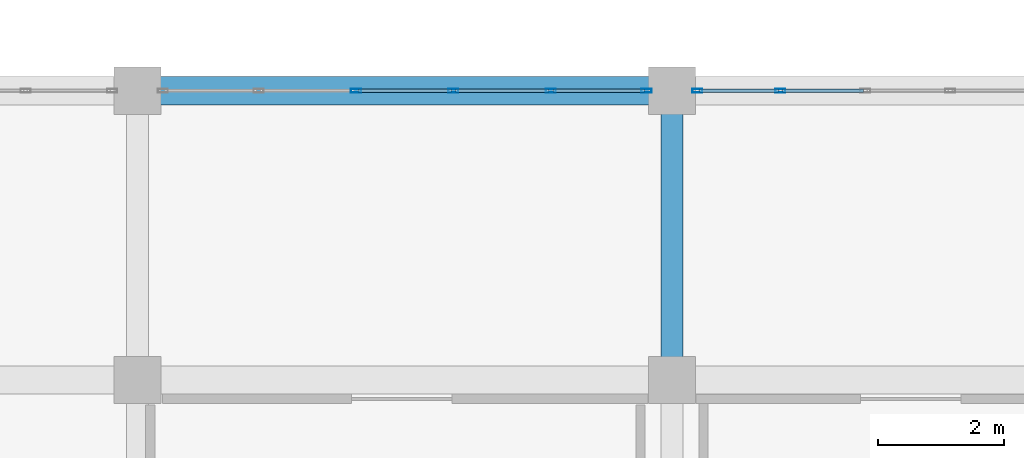
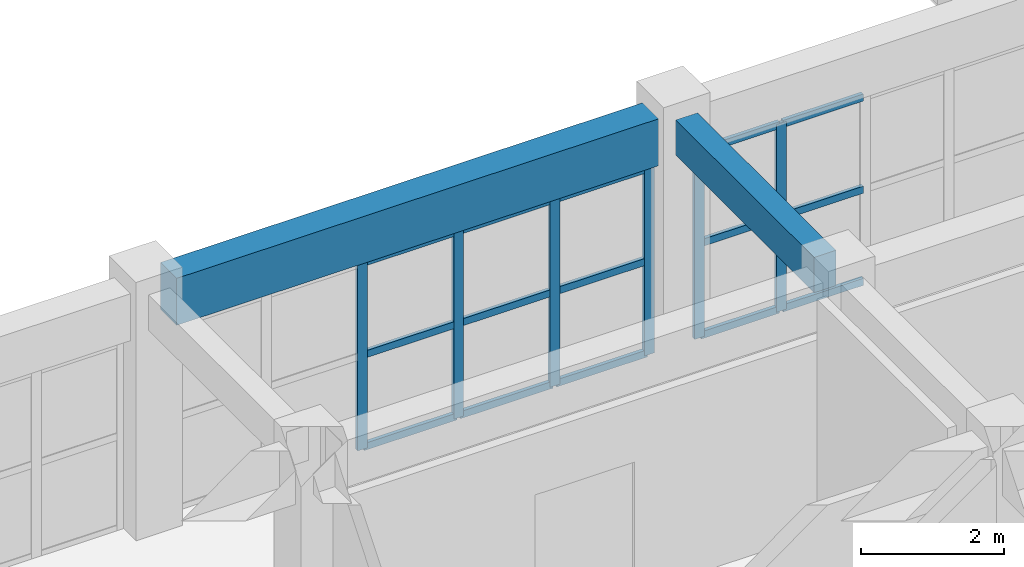
# One storey, part 52 of 116: 21 members, 2 beams, 2 elements without a shape of their own.
"""IFC4 building model written with IfcOpenShell, lengths in metres."""

from ifc_helpers import new_model, si_unit, direction, frame, origin, origin_2d, place, context, subcontext, project, spatial, rectangle, hollow_rectangle, extrude, material, layer, layer_set, material_profile, profile_set, type_object, element, aggregate, save


model = new_model("IFC4")

# Units and contexts
model_context = context("Model", 3, precision=1e-05, world=origin(), true_north=direction((0.0, 1.0)))
body_context = subcontext(model_context, "Body", "Model", "MODEL_VIEW")
ifc_project = project(units=[si_unit("LENGTHUNIT", "METRE"), si_unit("AREAUNIT", "SQUARE_METRE"), si_unit("VOLUMEUNIT", "CUBIC_METRE"), si_unit("PLANEANGLEUNIT", "RADIAN"), si_unit("MASSUNIT", "GRAM", prefix="KILO")], contexts=[model_context])

# Site, building, storey
site_placement = place(None, origin())
site = spatial("IfcSite", under=ifc_project, at=site_placement, CompositionType="ELEMENT")
building_placement = place(site_placement, origin())
building = spatial("IfcBuilding", under=site, at=building_placement, Name="Muzn Square Opera House", CompositionType="ELEMENT")
storey_placement = place(building_placement, frame((0.0, 0.0, 5.39990234375)))
storey = spatial("IfcBuildingStorey", under=building, at=storey_placement, Name="L01", CompositionType="ELEMENT", Elevation=5.39990234375)

# Curtain wall, members
ifc_material_1 = material(Name="Low-E laminated acoustic double glazing", Category="glass")
ifc_layer_1 = layer(ifc_material_1, 0.159912109375, Name="Low-E laminated acoustic double glazing", Category="glass")
ifc_layer_set_1 = layer_set([ifc_layer_1], Name="Low-E laminated acoustic double glazing")
curtain_wall_type_1 = type_object("IfcCurtainWallType", Name="Glazed Curtain Wall EastCloisterS 7750x3200", PredefinedType="USERDEFINED", material=ifc_layer_set_1)
curtain_wall_1_placement = place(storey_placement, origin())
curtain_wall_1 = element("IfcCurtainWall", 1, at=curtain_wall_1_placement, inside=storey, type_object=curtain_wall_type_1, Name="Glazed Curtain Wall CW-L01-089", ObjectType="GLAZED CURTAIN WALL", PredefinedType="USERDEFINED")
ifc_material_2 = material(Name="Anodised bronze aluminium 6063-T6", Category="metal")
ifc_material_profile_1 = material_profile(ifc_material_2, hollow_rectangle(XDim=0.06005859375, YDim=0.159912109375, WallThickness=0.00390625, at=origin_2d()), Name="ALU 160x60x4", Category="metal")
ifc_profile_set_1 = profile_set([ifc_material_profile_1], Name="Anodised bronze aluminium 6063-T6")
member_type_1 = type_object("IfcMemberType", Name="Curtain Wall Mullion 160x60", PredefinedType="MULLION", material=ifc_profile_set_1)
member_1_placement = place(storey_placement, frame((144.47509765625, 31.199951171875, 0.0), z_axis=(0.0, 0.0, 1.0), x_axis=(0.0, 1.0, 0.0)))
member_1 = element("IfcMember", 2, at=member_1_placement, type_object=member_type_1, Name="CW-ECS-77x32 mullion 3", PredefinedType="MULLION", context=body_context, shape_type="SweptSolid", body=[
    extrude(hollow_rectangle(XDim=0.06005859375, YDim=0.159912109375, WallThickness=0.00390625, at=origin_2d()), origin(), (0.0, 0.0, 1.0), 3.2001953125),
])
member_2_placement = place(storey_placement, frame((146.02490234375, 31.199951171875, 0.0), z_axis=(0.0, 0.0, 1.0), x_axis=(0.0, 1.0, 0.0)))
member_2 = element("IfcMember", 3, at=member_2_placement, type_object=member_type_1, Name="CW-ECS-77x32 mullion 4", PredefinedType="MULLION", context=body_context, shape_type="SweptSolid", body=[
    extrude(hollow_rectangle(XDim=0.06005859375, YDim=0.159912109375, WallThickness=0.00390625, at=origin_2d()), origin(), (0.0, 0.0, 1.0), 3.2001953125),
])
member_3_placement = place(storey_placement, frame((147.574951171875, 31.199951171875, 0.0), z_axis=(0.0, 0.0, 1.0), x_axis=(0.0, 1.0, 0.0)))
member_3 = element("IfcMember", 4, at=member_3_placement, type_object=member_type_1, Name="CW-ECS-77x32 mullion 5", PredefinedType="MULLION", context=body_context, shape_type="SweptSolid", body=[
    extrude(hollow_rectangle(XDim=0.06005859375, YDim=0.159912109375, WallThickness=0.00390625, at=origin_2d()), origin(), (0.0, 0.0, 1.0), 3.2001953125),
])
member_4_placement = place(storey_placement, frame((149.094970703125, 31.199951171875, 0.0), z_axis=(0.0, 0.0, 1.0), x_axis=(0.0, 1.0, 0.0)))
member_4 = element("IfcMember", 5, at=member_4_placement, type_object=member_type_1, Name="CW-ECS-77x32 mullion 6", PredefinedType="MULLION", context=body_context, shape_type="SweptSolid", body=[
    extrude(hollow_rectangle(XDim=0.06005859375, YDim=0.159912109375, WallThickness=0.00390625, at=origin_2d()), origin(), (0.0, 0.0, 1.0), 3.2001953125),
])

ifc_layer_2 = layer(ifc_material_1, 0.159912109375, Name="Low-E laminated acoustic double glazing", Category="glass")
ifc_layer_set_2 = layer_set([ifc_layer_2], Name="Low-E laminated acoustic double glazing")
curtain_wall_type_2 = type_object("IfcCurtainWallType", Name="Glazed Curtain Wall EastCloisterS 6750x3200", PredefinedType="USERDEFINED", material=ifc_layer_set_2)
curtain_wall_2_placement = place(storey_placement, origin())
curtain_wall_2 = element("IfcCurtainWall", 6, at=curtain_wall_2_placement, inside=storey, type_object=curtain_wall_type_2, Name="Glazed Curtain Wall CW-L01-091", ObjectType="GLAZED CURTAIN WALL", PredefinedType="USERDEFINED")
member_5_placement = place(storey_placement, frame((149.905029296875, 31.199951171875, 0.0), z_axis=(0.0, 0.0, 1.0), x_axis=(0.0, 1.0, 0.0)))
member_5 = element("IfcMember", 7, at=member_5_placement, type_object=member_type_1, Name="CW-ECS-67x32 mullion 1", PredefinedType="MULLION", context=body_context, shape_type="SweptSolid", body=[
    extrude(hollow_rectangle(XDim=0.06005859375, YDim=0.159912109375, WallThickness=0.00390625, at=origin_2d()), origin(), (0.0, 0.0, 1.0), 3.2001953125),
])
member_6_placement = place(storey_placement, frame((151.22509765625, 31.199951171875, 0.0), z_axis=(0.0, 0.0, 1.0), x_axis=(0.0, 1.0, 0.0)))
member_6 = element("IfcMember", 8, at=member_6_placement, type_object=member_type_1, Name="CW-ECS-67x32 mullion 2", PredefinedType="MULLION", context=body_context, shape_type="SweptSolid", body=[
    extrude(hollow_rectangle(XDim=0.06005859375, YDim=0.159912109375, WallThickness=0.00390625, at=origin_2d()), origin(), (0.0, 0.0, 1.0), 3.2001953125),
])

# Member
ifc_material_profile_2 = material_profile(ifc_material_2, hollow_rectangle(XDim=0.06005859375, YDim=0.1201171875, WallThickness=0.00390625, at=origin_2d()), Name="ALU 120x60x4", Category="metal")
ifc_profile_set_2 = profile_set([ifc_material_profile_2], Name="Anodised bronze aluminium 6063-T6")
member_type_2 = type_object("IfcMemberType", Name="Curtain Wall Transom 120x60", PredefinedType="USERDEFINED", material=ifc_profile_set_2)
member_7_placement = place(storey_placement, frame((144.5048828125, 31.199951171875, 0.030029296875), z_axis=(1.0, 0.0, 0.0), x_axis=(0.0, 1.0, 0.0)))
member_7 = element("IfcMember", 9, at=member_7_placement, type_object=member_type_2, Name="CW-ECS-77x32 transom 3.1", ObjectType="TRANSOM", PredefinedType="USERDEFINED", context=body_context, shape_type="SweptSolid", body=[
    extrude(hollow_rectangle(XDim=0.06005859375, YDim=0.1201171875, WallThickness=0.00390625, at=origin_2d()), origin(), (0.0, 0.0, 1.0), 1.490234375),
])

member_8_placement = place(storey_placement, frame((144.5048828125, 31.199951171875, 1.60009765625), z_axis=(1.0, 0.0, 0.0), x_axis=(0.0, 1.0, 0.0)))
member_8 = element("IfcMember", 10, at=member_8_placement, type_object=member_type_2, Name="CW-ECS-77x32 transom 3.2", ObjectType="TRANSOM", PredefinedType="USERDEFINED", context=body_context, shape_type="SweptSolid", body=[
    extrude(hollow_rectangle(XDim=0.06005859375, YDim=0.1201171875, WallThickness=0.00390625, at=origin_2d()), origin(), (0.0, 0.0, 1.0), 1.490234375),
])

member_9_placement = place(storey_placement, frame((144.5048828125, 31.199951171875, 3.170166015625), z_axis=(1.0, 0.0, 0.0), x_axis=(0.0, 1.0, 0.0)))
member_9 = element("IfcMember", 11, at=member_9_placement, type_object=member_type_2, Name="CW-ECS-77x32 transom 3.3", ObjectType="TRANSOM", PredefinedType="USERDEFINED", context=body_context, shape_type="SweptSolid", body=[
    extrude(hollow_rectangle(XDim=0.06005859375, YDim=0.1201171875, WallThickness=0.00390625, at=origin_2d()), origin(), (0.0, 0.0, 1.0), 1.490234375),
])

member_10_placement = place(storey_placement, frame((146.054931640625, 31.199951171875, 0.030029296875), z_axis=(1.0, 0.0, 0.0), x_axis=(0.0, 1.0, 0.0)))
member_10 = element("IfcMember", 12, at=member_10_placement, type_object=member_type_2, Name="CW-ECS-77x32 transom 4.1", ObjectType="TRANSOM", PredefinedType="USERDEFINED", context=body_context, shape_type="SweptSolid", body=[
    extrude(hollow_rectangle(XDim=0.06005859375, YDim=0.1201171875, WallThickness=0.00390625, at=origin_2d()), origin(), (0.0, 0.0, 1.0), 1.489990234375),
])

member_11_placement = place(storey_placement, frame((146.054931640625, 31.199951171875, 1.60009765625), z_axis=(1.0, 0.0, 0.0), x_axis=(0.0, 1.0, 0.0)))
member_11 = element("IfcMember", 13, at=member_11_placement, type_object=member_type_2, Name="CW-ECS-77x32 transom 4.2", ObjectType="TRANSOM", PredefinedType="USERDEFINED", context=body_context, shape_type="SweptSolid", body=[
    extrude(hollow_rectangle(XDim=0.06005859375, YDim=0.1201171875, WallThickness=0.00390625, at=origin_2d()), origin(), (0.0, 0.0, 1.0), 1.489990234375),
])

member_12_placement = place(storey_placement, frame((146.054931640625, 31.199951171875, 3.170166015625), z_axis=(1.0, 0.0, 0.0), x_axis=(0.0, 1.0, 0.0)))
member_12 = element("IfcMember", 14, at=member_12_placement, type_object=member_type_2, Name="CW-ECS-77x32 transom 4.3", ObjectType="TRANSOM", PredefinedType="USERDEFINED", context=body_context, shape_type="SweptSolid", body=[
    extrude(hollow_rectangle(XDim=0.06005859375, YDim=0.1201171875, WallThickness=0.00390625, at=origin_2d()), origin(), (0.0, 0.0, 1.0), 1.489990234375),
])

member_13_placement = place(storey_placement, frame((147.60498046875, 31.199951171875, 0.030029296875), z_axis=(1.0, 0.0, 0.0), x_axis=(0.0, 1.0, 0.0)))
member_13 = element("IfcMember", 15, at=member_13_placement, type_object=member_type_2, Name="CW-ECS-77x32 transom 5.1", ObjectType="TRANSOM", PredefinedType="USERDEFINED", context=body_context, shape_type="SweptSolid", body=[
    extrude(hollow_rectangle(XDim=0.06005859375, YDim=0.1201171875, WallThickness=0.00390625, at=origin_2d()), origin(), (0.0, 0.0, 1.0), 1.4599609375),
])

member_14_placement = place(storey_placement, frame((147.60498046875, 31.199951171875, 1.60009765625), z_axis=(1.0, 0.0, 0.0), x_axis=(0.0, 1.0, 0.0)))
member_14 = element("IfcMember", 16, at=member_14_placement, type_object=member_type_2, Name="CW-ECS-77x32 transom 5.2", ObjectType="TRANSOM", PredefinedType="USERDEFINED", context=body_context, shape_type="SweptSolid", body=[
    extrude(hollow_rectangle(XDim=0.06005859375, YDim=0.1201171875, WallThickness=0.00390625, at=origin_2d()), origin(), (0.0, 0.0, 1.0), 1.4599609375),
])

member_15_placement = place(storey_placement, frame((147.60498046875, 31.199951171875, 3.170166015625), z_axis=(1.0, 0.0, 0.0), x_axis=(0.0, 1.0, 0.0)))
member_15 = element("IfcMember", 17, at=member_15_placement, type_object=member_type_2, Name="CW-ECS-77x32 transom 5.3", ObjectType="TRANSOM", PredefinedType="USERDEFINED", context=body_context, shape_type="SweptSolid", body=[
    extrude(hollow_rectangle(XDim=0.06005859375, YDim=0.1201171875, WallThickness=0.00390625, at=origin_2d()), origin(), (0.0, 0.0, 1.0), 1.4599609375),
])

aggregate(curtain_wall_1, [member_1, member_2, member_3, member_4, member_7, member_8, member_9, member_10, member_11, member_12, member_13, member_14, member_15])

member_16_placement = place(storey_placement, frame((149.93505859375, 31.199951171875, 0.030029296875), z_axis=(1.0, 0.0, 0.0), x_axis=(0.0, 1.0, 0.0)))
member_16 = element("IfcMember", 18, at=member_16_placement, type_object=member_type_2, Name="CW-ECS-67x32 transom 1.1", ObjectType="TRANSOM", PredefinedType="USERDEFINED", context=body_context, shape_type="SweptSolid", body=[
    extrude(hollow_rectangle(XDim=0.06005859375, YDim=0.1201171875, WallThickness=0.00390625, at=origin_2d()), origin(), (0.0, 0.0, 1.0), 1.260009765625),
])

member_17_placement = place(storey_placement, frame((149.93505859375, 31.199951171875, 1.60009765625), z_axis=(1.0, 0.0, 0.0), x_axis=(0.0, 1.0, 0.0)))
member_17 = element("IfcMember", 19, at=member_17_placement, type_object=member_type_2, Name="CW-ECS-67x32 transom 1.2", ObjectType="TRANSOM", PredefinedType="USERDEFINED", context=body_context, shape_type="SweptSolid", body=[
    extrude(hollow_rectangle(XDim=0.06005859375, YDim=0.1201171875, WallThickness=0.00390625, at=origin_2d()), origin(), (0.0, 0.0, 1.0), 1.260009765625),
])

member_18_placement = place(storey_placement, frame((149.93505859375, 31.199951171875, 3.170166015625), z_axis=(1.0, 0.0, 0.0), x_axis=(0.0, 1.0, 0.0)))
member_18 = element("IfcMember", 20, at=member_18_placement, type_object=member_type_2, Name="CW-ECS-67x32 transom 1.3", ObjectType="TRANSOM", PredefinedType="USERDEFINED", context=body_context, shape_type="SweptSolid", body=[
    extrude(hollow_rectangle(XDim=0.06005859375, YDim=0.1201171875, WallThickness=0.00390625, at=origin_2d()), origin(), (0.0, 0.0, 1.0), 1.260009765625),
])

member_19_placement = place(storey_placement, frame((151.2548828125, 31.199951171875, 0.030029296875), z_axis=(1.0, 0.0, 0.0), x_axis=(0.0, 1.0, 0.0)))
member_19 = element("IfcMember", 21, at=member_19_placement, type_object=member_type_2, Name="CW-ECS-67x32 transom 2.1", ObjectType="TRANSOM", PredefinedType="USERDEFINED", context=body_context, shape_type="SweptSolid", body=[
    extrude(hollow_rectangle(XDim=0.06005859375, YDim=0.1201171875, WallThickness=0.00390625, at=origin_2d()), origin(), (0.0, 0.0, 1.0), 1.2900390625),
])

member_20_placement = place(storey_placement, frame((151.2548828125, 31.199951171875, 1.60009765625), z_axis=(1.0, 0.0, 0.0), x_axis=(0.0, 1.0, 0.0)))
member_20 = element("IfcMember", 22, at=member_20_placement, type_object=member_type_2, Name="CW-ECS-67x32 transom 2.2", ObjectType="TRANSOM", PredefinedType="USERDEFINED", context=body_context, shape_type="SweptSolid", body=[
    extrude(hollow_rectangle(XDim=0.06005859375, YDim=0.1201171875, WallThickness=0.00390625, at=origin_2d()), origin(), (0.0, 0.0, 1.0), 1.2900390625),
])

member_21_placement = place(storey_placement, frame((151.2548828125, 31.199951171875, 3.170166015625), z_axis=(1.0, 0.0, 0.0), x_axis=(0.0, 1.0, 0.0)))
member_21 = element("IfcMember", 23, at=member_21_placement, type_object=member_type_2, Name="CW-ECS-67x32 transom 2.3", ObjectType="TRANSOM", PredefinedType="USERDEFINED", context=body_context, shape_type="SweptSolid", body=[
    extrude(hollow_rectangle(XDim=0.06005859375, YDim=0.1201171875, WallThickness=0.00390625, at=origin_2d()), origin(), (0.0, 0.0, 1.0), 1.2900390625),
])

aggregate(curtain_wall_2, [member_5, member_6, member_16, member_17, member_18, member_19, member_20, member_21])

# Beams
ifc_material_3 = material(Name="Concrete C40/50", Category="concrete")
ifc_material_profile_3 = material_profile(ifc_material_3, rectangle(XDim=0.35009765625, YDim=0.60009765625, at=origin_2d()), Name="RCB 350x600", Category="concrete")
ifc_profile_set_3 = profile_set([ifc_material_profile_3], Name="Concrete C40/50")
beam_type_1 = type_object("IfcBeamType", Name="Primary Girder 350x600", PredefinedType="BEAM", material=ifc_profile_set_3)
beam_1_placement = place(storey_placement, frame((149.5, 26.967041015625, 3.820068359375), z_axis=(0.0, 1.0, 0.0), x_axis=(-1.0, 0.0, 0.0)))
element("IfcBeam", 24, at=beam_1_placement, inside=storey, type_object=beam_type_1, Name="Primary Girder BM-L01-BM-PG600-1495_270_1495_308-1731", PredefinedType="BEAM", context=body_context, shape_type="SweptSolid", body=[
    extrude(rectangle(XDim=0.35009765625, YDim=0.60009765625, at=origin_2d()), origin(), (0.0, 0.0, 1.0), 3.865966796875),
])
ifc_material_profile_4 = material_profile(ifc_material_3, rectangle(XDim=0.449951171875, YDim=0.800048828125, at=origin_2d()), Name="RCB 450x800", Category="concrete")
ifc_profile_set_4 = profile_set([ifc_material_profile_4], Name="Concrete C40/50")
beam_type_2 = type_object("IfcBeamType", Name="Primary Girder 450x800", PredefinedType="BEAM", material=ifc_profile_set_4)
beam_2_placement = place(storey_placement, frame((141.366943359375, 31.199951171875, 3.72021484375), z_axis=(1.0, 0.0, 0.0), x_axis=(0.0, 1.0, 0.0)))
element("IfcBeam", 25, at=beam_2_placement, inside=storey, type_object=beam_type_2, Name="Primary Girder BM-L01-BM-PG800-1414_312_1491_312-1328", PredefinedType="BEAM", context=body_context, shape_type="SweptSolid", body=[
    extrude(rectangle(XDim=0.449951171875, YDim=0.800048828125, at=origin_2d()), origin(), (0.0, 0.0, 1.0), 7.76611328125),
])

save(model, "model.ifc")
